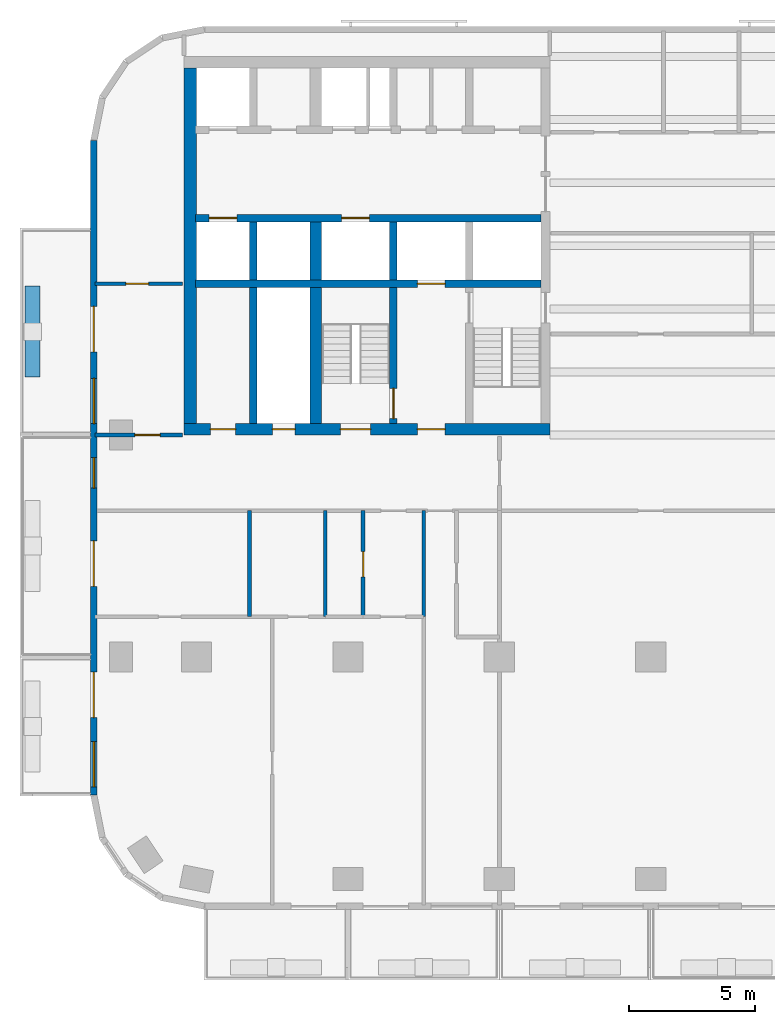
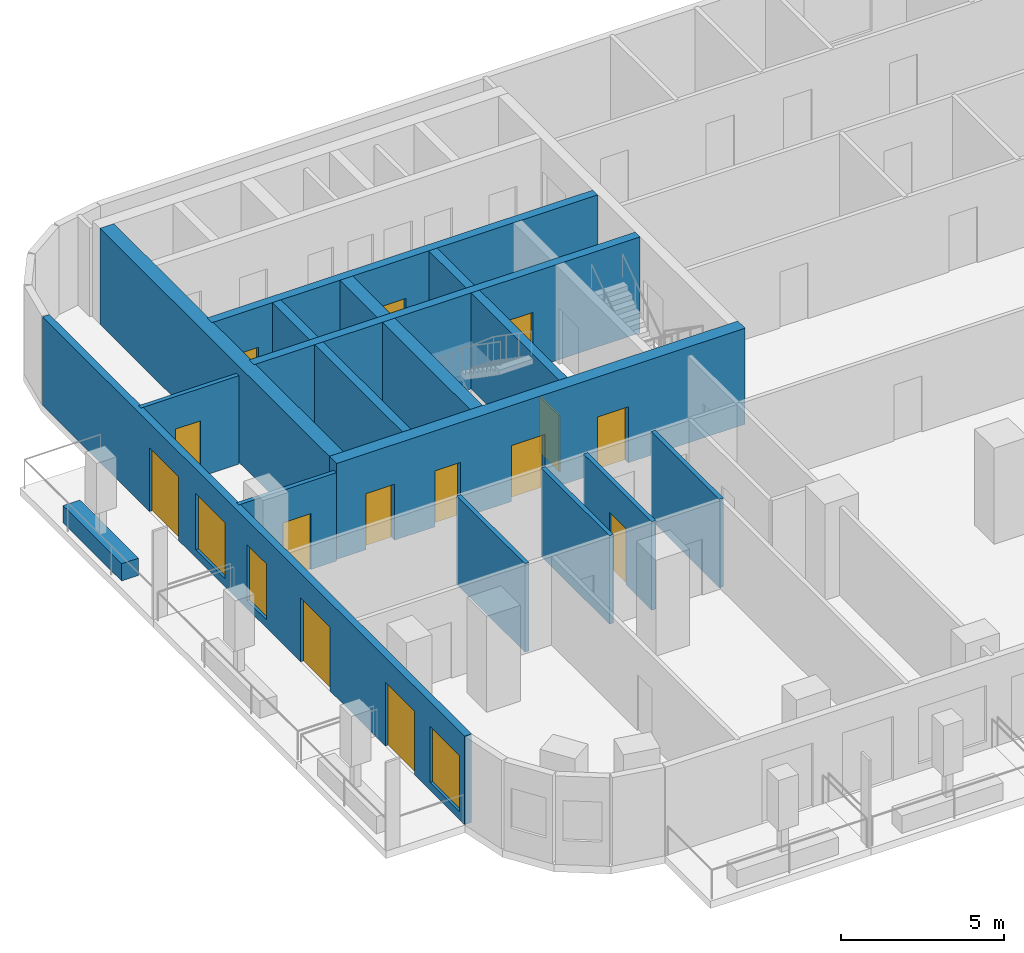
# One storey, part 3 of 11: 18 walls, 14 doors, 3 windows, 17 openings.
"""IFC4 building model written with IfcOpenShell, lengths in metres."""

from ifc_helpers import new_model, si_unit, direction, frame, frame_2d, origin, place, context, subcontext, project, spatial, rectangle, extrude, material, layer, layer_set, type_object, element, fill, save


model = new_model("IFC4")

# Units and contexts
model_context = context("Model", 3, precision=1e-05, world=origin(), true_north=direction((0.0, 1.0)))
body_context = subcontext(model_context, "Body", "Model", "MODEL_VIEW")
ifc_project = project(units=[si_unit("LENGTHUNIT", "METRE"), si_unit("AREAUNIT", "SQUARE_METRE"), si_unit("VOLUMEUNIT", "CUBIC_METRE"), si_unit("PLANEANGLEUNIT", "RADIAN"), si_unit("MASSUNIT", "GRAM", prefix="KILO")], contexts=[model_context])

# Site, building, storey
site_placement = place(None, origin())
site = spatial("IfcSite", under=ifc_project, at=site_placement, CompositionType="ELEMENT")
building_placement = place(site_placement, origin())
building = spatial("IfcBuilding", under=site, at=building_placement, Name="Torana Hotel and Residences", CompositionType="ELEMENT")
storey_placement = place(building_placement, frame((0.0, 0.0, 123.60009765625)))
storey = spatial("IfcBuildingStorey", under=building, at=storey_placement, Name="L31", CompositionType="ELEMENT", Elevation=123.60009765625)

# Wall, openings, doors
ifc_material_1 = material(Name="Concrete C70/85", Category="concrete")
ifc_layer_1 = layer(ifc_material_1, 0.300048828125)
ifc_layer_set_1 = layer_set([ifc_layer_1], Name="CORE WALL 300 C70/85")
wall_type_1 = type_object("IfcWallType", Name="CORE WALL 300 C70/85", PredefinedType="SHEAR", material=ifc_layer_set_1)
wall_1_placement = place(storey_placement, frame((-24.050048828125, -6.39990234375, 0.0), z_axis=(0.0, 0.0, 1.0), x_axis=(1.0, 0.0, 0.0)))
wall_1 = element("IfcWall", 1, at=wall_1_placement, inside=storey, type_object=wall_type_1, Name="Core wall W row-S", PredefinedType="SHEAR", context=body_context, shape_type="SweptSolid", body=[
    extrude(rectangle(XDim=13.699951171875, YDim=0.300048828125, at=frame_2d((6.85009765625, 0.0))), origin(), (0.0, 0.0, 1.0), 3.599853515625),
])
opening_1_placement = place(wall_1_placement, frame((0.550048828125, 0.0, 0.0)))
opening_1 = element("IfcOpeningElement", 2, at=opening_1_placement, cuts=wall_1, Name="Opening LD", PredefinedType="OPENING", context=body_context, shape_type="SweptSolid", body=[
    extrude(rectangle(XDim=1.10009765625, YDim=2.10009765625, at=frame_2d((0.550048828125, 1.050048828125))), frame((0.0, 0.159912109375, 0.0), z_axis=(0.0, -1.0, 0.0), x_axis=(1.0, 0.0, 0.0)), (0.0, 0.0, 1.0), 0.320068359375),
])
opening_2_placement = place(wall_1_placement, frame((5.800048828125, 0.0, 0.0)))
opening_2 = element("IfcOpeningElement", 3, at=opening_2_placement, cuts=wall_1, Name="Opening LD", PredefinedType="OPENING", context=body_context, shape_type="SweptSolid", body=[
    extrude(rectangle(XDim=1.10009765625, YDim=2.10009765625, at=frame_2d((0.550048828125, 1.050048828125))), frame((0.0, 0.159912109375, 0.0), z_axis=(0.0, -1.0, 0.0), x_axis=(1.0, 0.0, 0.0)), (0.0, 0.0, 1.0), 0.320068359375),
])
ifc_material_2 = material(Name="Stainless steel 316", Category="steel")
door_type_1 = type_object("IfcDoorType", Name="LIFT LANDING DOOR LD 1100x2100", OperationType="DOUBLE_DOOR_SLIDING", PredefinedType="USERDEFINED", material=ifc_material_2)
door_1_placement = place(opening_1_placement, origin())
door_1 = element("IfcDoor", 4, at=door_1_placement, inside=storey, type_object=door_type_1, Name="Lift landing door M2 L31", ObjectType="LIFT LANDING DOOR", OperationType="DOUBLE_DOOR_SLIDING", OverallHeight=2.10009765625, OverallWidth=1.10009765625, PredefinedType="USERDEFINED", context=body_context, shape_type="SweptSolid", body=[
    extrude(rectangle(XDim=1.10009765625, YDim=2.10009765625, at=frame_2d((0.550048828125, 1.050048828125))), frame((0.0, 0.02490234375, 0.0), z_axis=(0.0, -1.0, 0.0), x_axis=(1.0, 0.0, 0.0)), (0.0, 0.0, 1.0), 0.050048828125),
])
fill(opening_1, door_1)
door_2_placement = place(opening_2_placement, origin())
door_2 = element("IfcDoor", 5, at=door_2_placement, inside=storey, type_object=door_type_1, Name="Lift landing door SV1 L31", ObjectType="LIFT LANDING DOOR", OperationType="DOUBLE_DOOR_SLIDING", OverallHeight=2.10009765625, OverallWidth=1.10009765625, PredefinedType="USERDEFINED", context=body_context, shape_type="SweptSolid", body=[
    extrude(rectangle(XDim=1.10009765625, YDim=2.10009765625, at=frame_2d((0.550048828125, 1.050048828125))), frame((0.0, 0.02490234375, 0.0), z_axis=(0.0, -1.0, 0.0), x_axis=(1.0, 0.0, 0.0)), (0.0, 0.0, 1.0), 0.050048828125),
])
fill(opening_2, door_2)

# Wall, opening, door
wall_2_placement = place(storey_placement, frame((-24.050048828125, -9.0, 0.0), z_axis=(0.0, 0.0, 1.0), x_axis=(1.0, 0.0, 0.0)))
wall_2 = element("IfcWall", 6, at=wall_2_placement, inside=storey, type_object=wall_type_1, Name="Core wall W band", PredefinedType="SHEAR", context=body_context, shape_type="SweptSolid", body=[
    extrude(rectangle(XDim=13.699951171875, YDim=0.300048828125, at=frame_2d((6.85009765625, 0.0))), origin(), (0.0, 0.0, 1.0), 3.599853515625),
])
opening_3_placement = place(wall_2_placement, frame((8.800048828125, 0.0, 0.0)))
opening_3 = element("IfcOpeningElement", 7, at=opening_3_placement, cuts=wall_2, Name="Opening LD", PredefinedType="OPENING", context=body_context, shape_type="SweptSolid", body=[
    extrude(rectangle(XDim=1.10009765625, YDim=2.10009765625, at=frame_2d((0.550048828125, 1.050048828125))), frame((0.0, 0.159912109375, 0.0), z_axis=(0.0, -1.0, 0.0), x_axis=(1.0, 0.0, 0.0)), (0.0, 0.0, 1.0), 0.320068359375),
])
door_3_placement = place(opening_3_placement, origin())
door_3 = element("IfcDoor", 8, at=door_3_placement, inside=storey, type_object=door_type_1, Name="Lift landing door FF1 L31", ObjectType="LIFT LANDING DOOR", OperationType="DOUBLE_DOOR_SLIDING", OverallHeight=2.10009765625, OverallWidth=1.10009765625, PredefinedType="USERDEFINED", context=body_context, shape_type="SweptSolid", body=[
    extrude(rectangle(XDim=1.10009765625, YDim=2.10009765625, at=frame_2d((0.550048828125, 1.050048828125))), frame((0.0, 0.02490234375, 0.0), z_axis=(0.0, -1.0, 0.0), x_axis=(1.0, 0.0, 0.0)), (0.0, 0.0, 1.0), 0.050048828125),
])
fill(opening_3, door_3)

# Wall
wall_3_placement = place(storey_placement, frame((-16.199951171875, -8.85009765625, 0.0), z_axis=(0.0, 0.0, 1.0), x_axis=(0.0, 1.0, 0.0)))
element("IfcWall", 9, at=wall_3_placement, inside=storey, type_object=wall_type_1, Name="Core wall W x6.05-S", PredefinedType="SHEAR", context=body_context, shape_type="SweptSolid", body=[
    extrude(rectangle(XDim=2.300048828125, YDim=0.300048828125, at=frame_2d((1.14990234375, 0.0))), origin(), (0.0, 0.0, 1.0), 3.599853515625),
])

# Wall, opening, door
wall_4_placement = place(storey_placement, frame((-16.199951171875, -14.550048828125, 0.0), z_axis=(0.0, 0.0, 1.0), x_axis=(0.0, 1.0, 0.0)))
wall_4 = element("IfcWall", 10, at=wall_4_placement, inside=storey, type_object=wall_type_1, Name="Core wall W x6.05-band", PredefinedType="SHEAR", context=body_context, shape_type="SweptSolid", body=[
    extrude(rectangle(XDim=5.400146484375, YDim=0.300048828125, at=frame_2d((2.7001953125, 0.0))), origin(), (0.0, 0.0, 1.0), 3.599853515625),
])
opening_4_placement = place(wall_4_placement, frame((0.199951171875, 0.0, 0.0)))
opening_4 = element("IfcOpeningElement", 11, at=opening_4_placement, cuts=wall_4, Name="Opening L31-15", PredefinedType="OPENING", context=body_context, shape_type="SweptSolid", body=[
    extrude(rectangle(XDim=1.199951171875, YDim=2.10009765625, at=frame_2d((0.60009765625, 1.050048828125))), frame((0.0, 0.159912109375, 0.0), z_axis=(0.0, -1.0, 0.0), x_axis=(1.0, 0.0, 0.0)), (0.0, 0.0, 1.0), 0.320068359375),
])
ifc_material_3 = material(Name="Steel S235", Category="steel")
door_type_2 = type_object("IfcDoorType", Name="STAIR FIRE DOOR D3 1200x2100", OperationType="SINGLE_SWING_LEFT", PredefinedType="DOOR", material=ifc_material_3)
door_4_placement = place(opening_4_placement, origin())
door_4 = element("IfcDoor", 12, at=door_4_placement, inside=storey, type_object=door_type_2, Name="Stair-B-lobby door L31", OperationType="SINGLE_SWING_RIGHT", OverallHeight=2.10009765625, OverallWidth=1.199951171875, PredefinedType="DOOR", context=body_context, shape_type="SweptSolid", body=[
    extrude(rectangle(XDim=1.199951171875, YDim=2.10009765625, at=frame_2d((0.60009765625, 1.050048828125))), frame((0.0, 0.02490234375, 0.0), z_axis=(0.0, -1.0, 0.0), x_axis=(1.0, 0.0, 0.0)), (0.0, 0.0, 1.0), 0.050048828125),
])
fill(opening_4, door_4)

# Walls
wall_5_placement = place(storey_placement, frame((-21.75, -8.85009765625, 0.0), z_axis=(0.0, 0.0, 1.0), x_axis=(0.0, 1.0, 0.0)))
element("IfcWall", 13, at=wall_5_placement, inside=storey, type_object=wall_type_1, Name="Core wall W mm-S", PredefinedType="SHEAR", context=body_context, shape_type="SweptSolid", body=[
    extrude(rectangle(XDim=2.300048828125, YDim=0.300048828125, at=frame_2d((1.14990234375, 0.0))), origin(), (0.0, 0.0, 1.0), 3.599853515625),
])
wall_6_placement = place(storey_placement, frame((-21.75, -14.550048828125, 0.0), z_axis=(0.0, 0.0, 1.0), x_axis=(0.0, 1.0, 0.0)))
element("IfcWall", 14, at=wall_6_placement, inside=storey, type_object=wall_type_1, Name="Core wall W mm-band", PredefinedType="SHEAR", context=body_context, shape_type="SweptSolid", body=[
    extrude(rectangle(XDim=5.400146484375, YDim=0.300048828125, at=frame_2d((2.7001953125, 0.0))), origin(), (0.0, 0.0, 1.0), 3.599853515625),
])

# Wall, openings, doors
ifc_material_4 = material(Name="Concrete C70/85", Category="concrete")
ifc_layer_2 = layer(ifc_material_4, 0.449951171875)
ifc_layer_set_2 = layer_set([ifc_layer_2], Name="CORE WALL 450 C70/85")
wall_type_2 = type_object("IfcWallType", Name="CORE WALL 450 C70/85", PredefinedType="SHEAR", material=ifc_layer_set_2)
wall_7_placement = place(storey_placement, frame((-24.5, -14.77490234375, 0.0), z_axis=(0.0, 0.0, 1.0), x_axis=(1.0, 0.0, 0.0)))
wall_7 = element("IfcWall", 15, at=wall_7_placement, inside=storey, type_object=wall_type_2, Name="Core wall W front", PredefinedType="SHEAR", context=body_context, shape_type="SweptSolid", body=[
    extrude(rectangle(XDim=14.5, YDim=0.449951171875, at=frame_2d((7.25, 0.0))), origin(), (0.0, 0.0, 1.0), 3.599853515625),
])
opening_5_placement = place(wall_7_placement, frame((6.199951171875, 0.0, 0.0)))
opening_5 = element("IfcOpeningElement", 16, at=opening_5_placement, cuts=wall_7, Name="Opening L31-04", PredefinedType="OPENING", context=body_context, shape_type="SweptSolid", body=[
    extrude(rectangle(XDim=1.199951171875, YDim=2.10009765625, at=frame_2d((0.60009765625, 1.050048828125))), frame((0.0, 0.23486328125, 0.0), z_axis=(0.0, -1.0, 0.0), x_axis=(1.0, 0.0, 0.0)), (0.0, 0.0, 1.0), 0.469970703125),
])
opening_6_placement = place(wall_7_placement, frame((9.25, 0.0, 0.0)))
opening_6 = element("IfcOpeningElement", 17, at=opening_6_placement, cuts=wall_7, Name="Opening L31-05", PredefinedType="OPENING", context=body_context, shape_type="SweptSolid", body=[
    extrude(rectangle(XDim=1.10009765625, YDim=2.10009765625, at=frame_2d((0.550048828125, 1.050048828125))), frame((0.0, 0.23486328125, 0.0), z_axis=(0.0, -1.0, 0.0), x_axis=(1.0, 0.0, 0.0)), (0.0, 0.0, 1.0), 0.469970703125),
])
opening_7_placement = place(wall_7_placement, frame((3.5, 0.0, 0.0)))
opening_7 = element("IfcOpeningElement", 18, at=opening_7_placement, cuts=wall_7, Name="Opening L31-06", PredefinedType="OPENING", context=body_context, shape_type="SweptSolid", body=[
    extrude(rectangle(XDim=0.89990234375, YDim=2.10009765625, at=frame_2d((0.449951171875, 1.050048828125))), frame((0.0, 0.23486328125, 0.0), z_axis=(0.0, -1.0, 0.0), x_axis=(1.0, 0.0, 0.0)), (0.0, 0.0, 1.0), 0.469970703125),
])
opening_8_placement = place(wall_7_placement, frame((1.050048828125, 0.0, 0.0)))
opening_8 = element("IfcOpeningElement", 19, at=opening_8_placement, cuts=wall_7, Name="Opening L31-07", PredefinedType="OPENING", context=body_context, shape_type="SweptSolid", body=[
    extrude(rectangle(XDim=1.0, YDim=2.10009765625, at=frame_2d((0.5, 1.050048828125))), frame((0.0, 0.23486328125, 0.0), z_axis=(0.0, -1.0, 0.0), x_axis=(1.0, 0.0, 0.0)), (0.0, 0.0, 1.0), 0.469970703125),
])
ifc_material_5 = material(Name="Steel S235", Category="steel")
door_type_3 = type_object("IfcDoorType", Name="CORE ROOM FIRE DOOR D14 1000x2100", OperationType="SINGLE_SWING_LEFT", PredefinedType="DOOR", material=ifc_material_5)
door_5_placement = place(opening_8_placement, origin())
door_5 = element("IfcDoor", 20, at=door_5_placement, inside=storey, type_object=door_type_3, Name="M-Room door L31", OperationType="SINGLE_SWING_RIGHT", OverallHeight=2.10009765625, OverallWidth=1.0, PredefinedType="DOOR", context=body_context, shape_type="SweptSolid", body=[
    extrude(rectangle(XDim=1.0, YDim=2.10009765625, at=frame_2d((0.5, 1.050048828125))), frame((0.0, 0.02490234375, 0.0), z_axis=(0.0, -1.0, 0.0), x_axis=(1.0, 0.0, 0.0)), (0.0, 0.0, 1.0), 0.050048828125),
])
fill(opening_8, door_5)
ifc_material_6 = material(Name="Steel S235", Category="steel")
door_type_4 = type_object("IfcDoorType", Name="FIRE-FIGHTING LOBBY DOOR D8 1100x2100", OperationType="SINGLE_SWING_LEFT", PredefinedType="DOOR", material=ifc_material_6)
door_6_placement = place(opening_6_placement, origin())
door_6 = element("IfcDoor", 21, at=door_6_placement, inside=storey, type_object=door_type_4, Name="FF-lobby door L31", OperationType="SINGLE_SWING_RIGHT", OverallHeight=2.10009765625, OverallWidth=1.10009765625, PredefinedType="DOOR", context=body_context, shape_type="SweptSolid", body=[
    extrude(rectangle(XDim=1.10009765625, YDim=2.10009765625, at=frame_2d((0.550048828125, 1.050048828125))), frame((0.0, 0.02490234375, 0.0), z_axis=(0.0, -1.0, 0.0), x_axis=(1.0, 0.0, 0.0)), (0.0, 0.0, 1.0), 0.050048828125),
])
fill(opening_6, door_6)
ifc_material_7 = material(Name="Steel S235", Category="steel")
door_type_5 = type_object("IfcDoorType", Name="RISER ACCESS DOOR D5 900x2100", OperationType="SINGLE_SWING_LEFT", PredefinedType="DOOR", material=ifc_material_7)
door_7_placement = place(opening_7_placement, origin())
door_7 = element("IfcDoor", 22, at=door_7_placement, inside=storey, type_object=door_type_5, Name="M-Riser door L31", OperationType="SINGLE_SWING_RIGHT", OverallHeight=2.10009765625, OverallWidth=0.89990234375, PredefinedType="DOOR", context=body_context, shape_type="SweptSolid", body=[
    extrude(rectangle(XDim=0.89990234375, YDim=2.10009765625, at=frame_2d((0.449951171875, 1.050048828125))), frame((0.0, 0.02490234375, 0.0), z_axis=(0.0, -1.0, 0.0), x_axis=(1.0, 0.0, 0.0)), (0.0, 0.0, 1.0), 0.050048828125),
])
fill(opening_7, door_7)
door_8_placement = place(opening_5_placement, origin())
door_8 = element("IfcDoor", 23, at=door_8_placement, inside=storey, type_object=door_type_2, Name="Stair-B door L31", OperationType="SINGLE_SWING_RIGHT", OverallHeight=2.10009765625, OverallWidth=1.199951171875, PredefinedType="DOOR", context=body_context, shape_type="SweptSolid", body=[
    extrude(rectangle(XDim=1.199951171875, YDim=2.10009765625, at=frame_2d((0.60009765625, 1.050048828125))), frame((0.0, 0.02490234375, 0.0), z_axis=(0.0, -1.0, 0.0), x_axis=(1.0, 0.0, 0.0)), (0.0, 0.0, 1.0), 0.050048828125),
])
fill(opening_5, door_8)

# Walls
wall_8_placement = place(storey_placement, frame((-19.27490234375, -8.85009765625, 0.0), z_axis=(0.0, 0.0, 1.0), x_axis=(0.0, 1.0, 0.0)))
element("IfcWall", 24, at=wall_8_placement, inside=storey, type_object=wall_type_2, Name="Core wall W hm-S", PredefinedType="SHEAR", context=body_context, shape_type="SweptSolid", body=[
    extrude(rectangle(XDim=2.300048828125, YDim=0.449951171875, at=frame_2d((1.14990234375, 0.0))), origin(), (0.0, 0.0, 1.0), 3.599853515625),
])
wall_9_placement = place(storey_placement, frame((-19.27490234375, -14.550048828125, 0.0), z_axis=(0.0, 0.0, 1.0), x_axis=(0.0, 1.0, 0.0)))
element("IfcWall", 25, at=wall_9_placement, inside=storey, type_object=wall_type_2, Name="Core wall W hm-band", PredefinedType="SHEAR", context=body_context, shape_type="SweptSolid", body=[
    extrude(rectangle(XDim=5.400146484375, YDim=0.449951171875, at=frame_2d((2.7001953125, 0.0))), origin(), (0.0, 0.0, 1.0), 3.599853515625),
])
ifc_material_8 = material(Name="Concrete C70/85", Category="concrete")
ifc_layer_3 = layer(ifc_material_8, 0.5)
ifc_layer_set_3 = layer_set([ifc_layer_3], Name="CORE WALL 500 C70/85")
wall_type_3 = type_object("IfcWallType", Name="CORE WALL 500 C70/85", PredefinedType="SHEAR", material=ifc_layer_set_3)
wall_10_placement = place(storey_placement, frame((-24.25, -14.550048828125, 0.0), z_axis=(0.0, 0.0, 1.0), x_axis=(0.0, 1.0, 0.0)))
element("IfcWall", 26, at=wall_10_placement, inside=storey, type_object=wall_type_3, Name="Core wall W outer", PredefinedType="SHEAR", context=body_context, shape_type="SweptSolid", body=[
    extrude(rectangle(XDim=14.10009765625, YDim=0.5, at=frame_2d((7.050048828125, 0.0))), origin(), (0.0, 0.0, 1.0), 3.599853515625),
])

# Wall, openings, doors, windows
ifc_material_9 = material(Name="Black aluminium composite panel", Category="aluminium")
ifc_layer_4 = layer(ifc_material_9, 0.00390625, Name="Cladding", Category="cladding")
ifc_material_10 = material(Name="Ventilated air cavity")
ifc_layer_5 = layer(ifc_material_10, 0.0400390625, Name="Ventilated cavity", Category="cavity")
ifc_material_11 = material(Name="Mineral wool insulation")
ifc_layer_6 = layer(ifc_material_11, 0.090087890625, Name="Insulation", Category="insulation")
ifc_material_12 = material(Name="Steel S280GD", Category="steel")
ifc_layer_7 = layer(ifc_material_12, 0.092041015625, Name="Steel stud frame", Category="structure")
ifc_material_13 = material(Name="Fire rated plasterboard")
ifc_layer_8 = layer(ifc_material_13, 0.011962890625, Name="Inner board", Category="finish")
ifc_layer_9 = layer(ifc_material_13, 0.011962890625, Name="Second board", Category="finish")
ifc_layer_set_4 = layer_set([ifc_layer_4, ifc_layer_5, ifc_layer_6, ifc_layer_7, ifc_layer_8, ifc_layer_9], Name="EW1 EXTERNAL WALL BLACK METAL CLAD 250")
wall_type_4 = type_object("IfcWallType", Name="EW1 EXTERNAL WALL BLACK METAL CLAD 250", PredefinedType="SOLIDWALL", material=ifc_layer_set_4)
wall_11_placement = place(storey_placement, frame((-28.074951171875, -3.32470703125, 0.0), z_axis=(0.0, 0.0, 1.0), x_axis=(0.0, -1.0, 0.0)))
wall_11 = element("IfcWall", 27, at=wall_11_placement, inside=storey, type_object=wall_type_4, Name="External wall L31 e0.9", PredefinedType="SOLIDWALL", context=body_context, shape_type="SweptSolid", body=[
    extrude(rectangle(XDim=25.95068359375, YDim=0.25, at=frame_2d((12.975341796875, 0.0))), origin(), (0.0, 0.0, 1.0), 3.31982421875),
])
opening_9_placement = place(wall_11_placement, frame((6.575439453125, 0.0, 0.0)))
opening_9 = element("IfcOpeningElement", 28, at=opening_9_placement, cuts=wall_11, Name="Opening L31-E12", PredefinedType="OPENING", context=body_context, shape_type="SweptSolid", body=[
    extrude(rectangle(XDim=1.800048828125, YDim=2.39990234375, at=frame_2d((0.89990234375, 1.199951171875))), frame((0.0, 0.135009765625, 0.0), z_axis=(0.0, -1.0, 0.0), x_axis=(1.0, 0.0, 0.0)), (0.0, 0.0, 1.0), 0.27001953125),
])
opening_10_placement = place(wall_11_placement, frame((9.42529296875, 0.0, 0.300048828125)))
opening_10 = element("IfcOpeningElement", 29, at=opening_10_placement, cuts=wall_11, Name="Opening W2", PredefinedType="OPENING", context=body_context, shape_type="SweptSolid", body=[
    extrude(rectangle(XDim=1.800048828125, YDim=2.10009765625, at=frame_2d((0.89990234375, 1.050048828125))), frame((0.0, 0.135009765625, 0.0), z_axis=(0.0, -1.0, 0.0), x_axis=(1.0, 0.0, 0.0)), (0.0, 0.0, 1.0), 0.27001953125),
])
opening_11_placement = place(wall_11_placement, frame((12.575439453125, 0.0, 0.300048828125)))
opening_11 = element("IfcOpeningElement", 30, at=opening_11_placement, cuts=wall_11, Name="Opening W7", PredefinedType="OPENING", context=body_context, shape_type="SweptSolid", body=[
    extrude(rectangle(XDim=1.199951171875, YDim=2.10009765625, at=frame_2d((0.60009765625, 1.050048828125))), frame((0.0, 0.135009765625, 0.0), z_axis=(0.0, -1.0, 0.0), x_axis=(1.0, 0.0, 0.0)), (0.0, 0.0, 1.0), 0.27001953125),
])
opening_12_placement = place(wall_11_placement, frame((15.87548828125, 0.0, 0.0)))
opening_12 = element("IfcOpeningElement", 31, at=opening_12_placement, cuts=wall_11, Name="Opening L31-E13", PredefinedType="OPENING", context=body_context, shape_type="SweptSolid", body=[
    extrude(rectangle(XDim=1.800048828125, YDim=2.39990234375, at=frame_2d((0.89990234375, 1.199951171875))), frame((0.0, 0.135009765625, 0.0), z_axis=(0.0, -1.0, 0.0), x_axis=(1.0, 0.0, 0.0)), (0.0, 0.0, 1.0), 0.27001953125),
])
opening_13_placement = place(wall_11_placement, frame((21.075439453125, 0.0, 0.0)))
opening_13 = element("IfcOpeningElement", 32, at=opening_13_placement, cuts=wall_11, Name="Opening L31-E14", PredefinedType="OPENING", context=body_context, shape_type="SweptSolid", body=[
    extrude(rectangle(XDim=1.800048828125, YDim=2.39990234375, at=frame_2d((0.89990234375, 1.199951171875))), frame((0.0, 0.135009765625, 0.0), z_axis=(0.0, -1.0, 0.0), x_axis=(1.0, 0.0, 0.0)), (0.0, 0.0, 1.0), 0.27001953125),
])
opening_14_placement = place(wall_11_placement, frame((23.825439453125, 0.0, 0.300048828125)))
opening_14 = element("IfcOpeningElement", 33, at=opening_14_placement, cuts=wall_11, Name="Opening W2", PredefinedType="OPENING", context=body_context, shape_type="SweptSolid", body=[
    extrude(rectangle(XDim=1.800048828125, YDim=2.10009765625, at=frame_2d((0.89990234375, 1.050048828125))), frame((0.0, 0.135009765625, 0.0), z_axis=(0.0, -1.0, 0.0), x_axis=(1.0, 0.0, 0.0)), (0.0, 0.0, 1.0), 0.27001953125),
])
ifc_material_14 = material(Name="Dark glass in black aluminium frame", Category="aluminium")
door_type_6 = type_object("IfcDoorType", Name="DB1 BALCONY DOOR 1800x2400", OperationType="DOUBLE_DOOR_SINGLE_SWING", PredefinedType="DOOR", material=ifc_material_14)
door_9_placement = place(opening_9_placement, origin())
door_9 = element("IfcDoor", 34, at=door_9_placement, inside=storey, type_object=door_type_6, Name="Balcony door L31", OperationType="DOUBLE_DOOR_SINGLE_SWING", OverallHeight=2.39990234375, OverallWidth=1.800048828125, PredefinedType="DOOR", context=body_context, shape_type="SweptSolid", body=[
    extrude(rectangle(XDim=1.800048828125, YDim=2.39990234375, at=frame_2d((0.89990234375, 1.199951171875))), frame((0.0, 0.02490234375, 0.0), z_axis=(0.0, -1.0, 0.0), x_axis=(1.0, 0.0, 0.0)), (0.0, 0.0, 1.0), 0.050048828125),
])
fill(opening_9, door_9)
door_10_placement = place(opening_12_placement, origin())
door_10 = element("IfcDoor", 35, at=door_10_placement, inside=storey, type_object=door_type_6, Name="Balcony door L31", OperationType="DOUBLE_DOOR_SINGLE_SWING", OverallHeight=2.39990234375, OverallWidth=1.800048828125, PredefinedType="DOOR", context=body_context, shape_type="SweptSolid", body=[
    extrude(rectangle(XDim=1.800048828125, YDim=2.39990234375, at=frame_2d((0.89990234375, 1.199951171875))), frame((0.0, 0.02490234375, 0.0), z_axis=(0.0, -1.0, 0.0), x_axis=(1.0, 0.0, 0.0)), (0.0, 0.0, 1.0), 0.050048828125),
])
fill(opening_12, door_10)
door_11_placement = place(opening_13_placement, origin())
door_11 = element("IfcDoor", 36, at=door_11_placement, inside=storey, type_object=door_type_6, Name="Balcony door L31", OperationType="DOUBLE_DOOR_SINGLE_SWING", OverallHeight=2.39990234375, OverallWidth=1.800048828125, PredefinedType="DOOR", context=body_context, shape_type="SweptSolid", body=[
    extrude(rectangle(XDim=1.800048828125, YDim=2.39990234375, at=frame_2d((0.89990234375, 1.199951171875))), frame((0.0, 0.02490234375, 0.0), z_axis=(0.0, -1.0, 0.0), x_axis=(1.0, 0.0, 0.0)), (0.0, 0.0, 1.0), 0.050048828125),
])
fill(opening_13, door_11)
ifc_material_15 = material(Name="Dark glass in black aluminium frame", Category="aluminium")
window_type_1 = type_object("IfcWindowType", Name="W2 HOTEL ROOM WINDOW NARROW 1800x2100", PartitioningType="SINGLE_PANEL", PredefinedType="WINDOW", material=ifc_material_15)
window_1_placement = place(opening_10_placement, origin())
window_1 = element("IfcWindow", 37, at=window_1_placement, inside=storey, type_object=window_type_1, Name="Window L31", OverallHeight=2.10009765625, OverallWidth=1.800048828125, PartitioningType="SINGLE_PANEL", PredefinedType="WINDOW", context=body_context, shape_type="SweptSolid", body=[
    extrude(rectangle(XDim=1.800048828125, YDim=2.10009765625, at=frame_2d((0.89990234375, 1.050048828125))), frame((0.0, 0.030029296875, 0.0), z_axis=(0.0, -1.0, 0.0), x_axis=(1.0, 0.0, 0.0)), (0.0, 0.0, 1.0), 0.06005859375),
])
fill(opening_10, window_1)
window_2_placement = place(opening_14_placement, origin())
window_2 = element("IfcWindow", 38, at=window_2_placement, inside=storey, type_object=window_type_1, Name="Window L31", OverallHeight=2.10009765625, OverallWidth=1.800048828125, PartitioningType="SINGLE_PANEL", PredefinedType="WINDOW", context=body_context, shape_type="SweptSolid", body=[
    extrude(rectangle(XDim=1.800048828125, YDim=2.10009765625, at=frame_2d((0.89990234375, 1.050048828125))), frame((0.0, 0.030029296875, 0.0), z_axis=(0.0, -1.0, 0.0), x_axis=(1.0, 0.0, 0.0)), (0.0, 0.0, 1.0), 0.06005859375),
])
fill(opening_14, window_2)
ifc_material_16 = material(Name="Dark glass in black aluminium frame", Category="aluminium")
window_type_2 = type_object("IfcWindowType", Name="W7 HOTEL CORRIDOR WINDOW 1200x2100", PartitioningType="SINGLE_PANEL", PredefinedType="WINDOW", material=ifc_material_16)
window_3_placement = place(opening_11_placement, origin())
window_3 = element("IfcWindow", 39, at=window_3_placement, inside=storey, type_object=window_type_2, Name="Window L31", OverallHeight=2.10009765625, OverallWidth=1.199951171875, PartitioningType="SINGLE_PANEL", PredefinedType="WINDOW", context=body_context, shape_type="SweptSolid", body=[
    extrude(rectangle(XDim=1.199951171875, YDim=2.10009765625, at=frame_2d((0.60009765625, 1.050048828125))), frame((0.0, 0.030029296875, 0.0), z_axis=(0.0, -1.0, 0.0), x_axis=(1.0, 0.0, 0.0)), (0.0, 0.0, 1.0), 0.06005859375),
])
fill(opening_11, window_3)

# Wall
ifc_material_17 = material(Name="Gypsum plaster")
ifc_layer_10 = layer(ifc_material_17, 0.014892578125, Name="Plaster", Category="finish")
ifc_material_18 = material(Name="Concrete blockwork", Category="masonry")
ifc_layer_11 = layer(ifc_material_18, 0.1201171875, Name="Blockwork", Category="structure")
ifc_layer_12 = layer(ifc_material_17, 0.014892578125, Name="Plaster", Category="finish")
ifc_layer_set_5 = layer_set([ifc_layer_10, ifc_layer_11, ifc_layer_12], Name="FIRE PARTITION 150 BLOCKWORK")
wall_type_5 = type_object("IfcWallType", Name="FIRE PARTITION 150 BLOCKWORK", PredefinedType="PARTITIONING", material=ifc_layer_set_5)
wall_12_placement = place(storey_placement, frame((-15.0, -22.199951171875, 0.0), z_axis=(0.0, 0.0, 1.0), x_axis=(0.0, 1.0, 0.0)))
element("IfcWall", 40, at=wall_12_placement, inside=storey, type_object=wall_type_5, Name="Partition L31", PredefinedType="PARTITIONING", context=body_context, shape_type="SweptSolid", body=[
    extrude(rectangle(XDim=4.199951171875, YDim=0.14990234375, at=frame_2d((2.10009765625, 0.0))), origin(), (0.0, 0.0, 1.0), 3.31982421875),
])

# Wall, opening, door
wall_13_placement = place(storey_placement, frame((-17.39990234375, -22.199951171875, 0.0), z_axis=(0.0, 0.0, 1.0), x_axis=(0.0, 1.0, 0.0)))
wall_13 = element("IfcWall", 41, at=wall_13_placement, inside=storey, type_object=wall_type_5, Name="Partition L31", PredefinedType="PARTITIONING", context=body_context, shape_type="SweptSolid", body=[
    extrude(rectangle(XDim=4.199951171875, YDim=0.14990234375, at=frame_2d((2.10009765625, 0.0))), origin(), (0.0, 0.0, 1.0), 3.31982421875),
])
opening_15_placement = place(wall_13_placement, frame((1.580078125, 0.0, 0.0)))
opening_15 = element("IfcOpeningElement", 42, at=opening_15_placement, cuts=wall_13, Name="Opening L31-54", PredefinedType="OPENING", context=body_context, shape_type="SweptSolid", body=[
    extrude(rectangle(XDim=1.0, YDim=2.10009765625, at=frame_2d((0.5, 1.050048828125))), frame((0.0, 0.0849609375, 0.0), z_axis=(0.0, -1.0, 0.0), x_axis=(1.0, 0.0, 0.0)), (0.0, 0.0, 1.0), 0.169921875),
])
ifc_material_19 = material(Name="Steel S235", Category="steel")
door_type_7 = type_object("IfcDoorType", Name="ENTRY FIRE DOOR D6 1000x2100", OperationType="SINGLE_SWING_LEFT", PredefinedType="DOOR", material=ifc_material_19)
door_12_placement = place(opening_15_placement, origin())
door_12 = element("IfcDoor", 43, at=door_12_placement, inside=storey, type_object=door_type_7, Name="Door L31", OperationType="SINGLE_SWING_RIGHT", OverallHeight=2.10009765625, OverallWidth=1.0, PredefinedType="DOOR", context=body_context, shape_type="SweptSolid", body=[
    extrude(rectangle(XDim=1.0, YDim=2.10009765625, at=frame_2d((0.5, 1.050048828125))), frame((0.0, 0.02490234375, 0.0), z_axis=(0.0, -1.0, 0.0), x_axis=(1.0, 0.0, 0.0)), (0.0, 0.0, 1.0), 0.050048828125),
])
fill(opening_15, door_12)

wall_14_placement = place(storey_placement, frame((-28.02001953125, -15.0, 0.0), z_axis=(0.0, 0.0, 1.0), x_axis=(1.0, 0.0, 0.0)))
wall_14 = element("IfcWall", 44, at=wall_14_placement, inside=storey, type_object=wall_type_5, Name="Partition L31", PredefinedType="PARTITIONING", context=body_context, shape_type="SweptSolid", body=[
    extrude(rectangle(XDim=3.469970703125, YDim=0.14990234375, at=frame_2d((1.73486328125, 0.0))), origin(), (0.0, 0.0, 1.0), 3.31982421875),
])
opening_16_placement = place(wall_14_placement, frame((1.570068359375, 0.0, 0.0)))
opening_16 = element("IfcOpeningElement", 45, at=opening_16_placement, cuts=wall_14, Name="Opening L31-34", PredefinedType="OPENING", context=body_context, shape_type="SweptSolid", body=[
    extrude(rectangle(XDim=1.0, YDim=2.10009765625, at=frame_2d((0.5, 1.050048828125))), frame((0.0, 0.0849609375, 0.0), z_axis=(0.0, -1.0, 0.0), x_axis=(1.0, 0.0, 0.0)), (0.0, 0.0, 1.0), 0.169921875),
])
door_13_placement = place(opening_16_placement, origin())
door_13 = element("IfcDoor", 46, at=door_13_placement, inside=storey, type_object=door_type_3, Name="Door L31", OperationType="SINGLE_SWING_RIGHT", OverallHeight=2.10009765625, OverallWidth=1.0, PredefinedType="DOOR", context=body_context, shape_type="SweptSolid", body=[
    extrude(rectangle(XDim=1.0, YDim=2.10009765625, at=frame_2d((0.5, 1.050048828125))), frame((0.0, 0.02490234375, 0.0), z_axis=(0.0, -1.0, 0.0), x_axis=(1.0, 0.0, 0.0)), (0.0, 0.0, 1.0), 0.050048828125),
])
fill(opening_16, door_13)

# Wall
ifc_material_20 = material(Name="Gypsum plasterboard")
ifc_layer_13 = layer(ifc_material_20, 0.012451171875, Name="Plasterboard", Category="finish")
ifc_layer_14 = layer(ifc_material_20, 0.012451171875, Name="Plasterboard", Category="finish")
ifc_layer_15 = layer(ifc_material_12, 0.10009765625, Name="Steel studs with mineral wool", Category="insulation")
ifc_layer_16 = layer(ifc_material_20, 0.012451171875, Name="Plasterboard", Category="finish")
ifc_layer_17 = layer(ifc_material_20, 0.012451171875, Name="Plasterboard", Category="finish")
ifc_layer_set_6 = layer_set([ifc_layer_13, ifc_layer_14, ifc_layer_15, ifc_layer_16, ifc_layer_17], Name="PARTITION 150 PLASTERBOARD")
wall_type_6 = type_object("IfcWallType", Name="PARTITION 150 PLASTERBOARD", PredefinedType="PARTITIONING", material=ifc_layer_set_6)
wall_15_placement = place(storey_placement, frame((-21.89990234375, -22.199951171875, 0.0), z_axis=(0.0, 0.0, 1.0), x_axis=(0.0, 1.0, 0.0)))
element("IfcWall", 47, at=wall_15_placement, inside=storey, type_object=wall_type_6, Name="Partition L31", PredefinedType="PARTITIONING", context=body_context, shape_type="SweptSolid", body=[
    extrude(rectangle(XDim=4.199951171875, YDim=0.14990234375, at=frame_2d((2.10009765625, 0.0))), origin(), (0.0, 0.0, 1.0), 3.31982421875),
])

# Wall, opening, door
wall_16_placement = place(storey_placement, frame((-28.02001953125, -9.0, 0.0), z_axis=(0.0, 0.0, 1.0), x_axis=(1.0, 0.0, 0.0)))
wall_16 = element("IfcWall", 48, at=wall_16_placement, inside=storey, type_object=wall_type_6, Name="Partition L31", PredefinedType="PARTITIONING", context=body_context, shape_type="SweptSolid", body=[
    extrude(rectangle(XDim=3.469970703125, YDim=0.14990234375, at=frame_2d((1.73486328125, 0.0))), origin(), (0.0, 0.0, 1.0), 3.31982421875),
])
opening_17_placement = place(wall_16_placement, frame((1.219970703125, 0.0, 0.0)))
opening_17 = element("IfcOpeningElement", 49, at=opening_17_placement, cuts=wall_16, Name="Opening L31-64", PredefinedType="OPENING", context=body_context, shape_type="SweptSolid", body=[
    extrude(rectangle(XDim=0.89990234375, YDim=2.10009765625, at=frame_2d((0.449951171875, 1.050048828125))), frame((0.0, 0.0849609375, 0.0), z_axis=(0.0, -1.0, 0.0), x_axis=(1.0, 0.0, 0.0)), (0.0, 0.0, 1.0), 0.169921875),
])
ifc_material_21 = material(Name="Timber door, oiled ash", Category="wood")
door_type_8 = type_object("IfcDoorType", Name="ROOM DOOR D7 900x2100", OperationType="SINGLE_SWING_LEFT", PredefinedType="DOOR", material=ifc_material_21)
door_14_placement = place(opening_17_placement, origin())
door_14 = element("IfcDoor", 50, at=door_14_placement, inside=storey, type_object=door_type_8, Name="Door L31", OperationType="SINGLE_SWING_RIGHT", OverallHeight=2.10009765625, OverallWidth=0.89990234375, PredefinedType="DOOR", context=body_context, shape_type="SweptSolid", body=[
    extrude(rectangle(XDim=0.89990234375, YDim=2.10009765625, at=frame_2d((0.449951171875, 1.050048828125))), frame((0.0, 0.02490234375, 0.0), z_axis=(0.0, -1.0, 0.0), x_axis=(1.0, 0.0, 0.0)), (0.0, 0.0, 1.0), 0.050048828125),
])
fill(opening_17, door_14)

# Walls
ifc_material_22 = material(Name="Concrete C40/50 precast", Category="concrete")
ifc_layer_18 = layer(ifc_material_22, 0.10009765625, Name="Planter shell", Category="structure")
ifc_material_23 = material(Name="Root resistant membrane")
ifc_layer_19 = layer(ifc_material_23, 0.00390625, Name="Waterproofing membrane", Category="membrane")
ifc_material_24 = material(Name="Drainage board with filter fleece")
ifc_layer_20 = layer(ifc_material_24, 0.02001953125, Name="Drainage board", Category="drainage")
ifc_material_25 = material(Name="Growing medium")
ifc_layer_21 = layer(ifc_material_25, 0.47607421875, Name="Planting substrate", Category="soil")
ifc_layer_set_7 = layer_set([ifc_layer_18, ifc_layer_19, ifc_layer_20, ifc_layer_21], Name="PL1 BALCONY PLANTER 600")
wall_type_7 = type_object("IfcWallType", Name="PL1 BALCONY PLANTER 600", PredefinedType="USERDEFINED", material=ifc_layer_set_7)
wall_17_placement = place(storey_placement, frame((-30.5, -12.699951171875, 0.0), z_axis=(0.0, 0.0, 1.0), x_axis=(0.0, 1.0, 0.0)))
element("IfcWall", 51, at=wall_17_placement, inside=storey, type_object=wall_type_7, Name="Planter 11", ObjectType="PLANTER", PredefinedType="USERDEFINED", context=body_context, shape_type="SweptSolid", body=[
    extrude(rectangle(XDim=3.599853515625, YDim=0.60009765625, at=frame_2d((1.7998046875, 0.0))), origin(), (0.0, 0.0, 1.0), 0.64990234375),
])
ifc_material_26 = material(Name="Ceramic tile on adhesive")
ifc_layer_22 = layer(ifc_material_26, 0.010009765625, Name="Wall tile", Category="finish")
ifc_material_27 = material(Name="Cement render")
ifc_layer_23 = layer(ifc_material_27, 0.010009765625, Name="Render", Category="finish")
ifc_layer_24 = layer(ifc_material_18, 0.110107421875, Name="Blockwork", Category="structure")
ifc_layer_25 = layer(ifc_material_27, 0.010009765625, Name="Render", Category="finish")
ifc_layer_26 = layer(ifc_material_26, 0.010009765625, Name="Wall tile", Category="finish")
ifc_layer_set_8 = layer_set([ifc_layer_22, ifc_layer_23, ifc_layer_24, ifc_layer_25, ifc_layer_26], Name="WC PARTITION 150")
wall_type_8 = type_object("IfcWallType", Name="WC PARTITION 150", PredefinedType="PLUMBINGWALL", material=ifc_layer_set_8)
wall_18_placement = place(storey_placement, frame((-18.89990234375, -22.199951171875, 0.0), z_axis=(0.0, 0.0, 1.0), x_axis=(0.0, 1.0, 0.0)))
element("IfcWall", 52, at=wall_18_placement, inside=storey, type_object=wall_type_8, Name="Partition L31", PredefinedType="PLUMBINGWALL", context=body_context, shape_type="SweptSolid", body=[
    extrude(rectangle(XDim=4.199951171875, YDim=0.14990234375, at=frame_2d((2.10009765625, 0.0))), origin(), (0.0, 0.0, 1.0), 3.31982421875),
])

save(model, "model.ifc")
